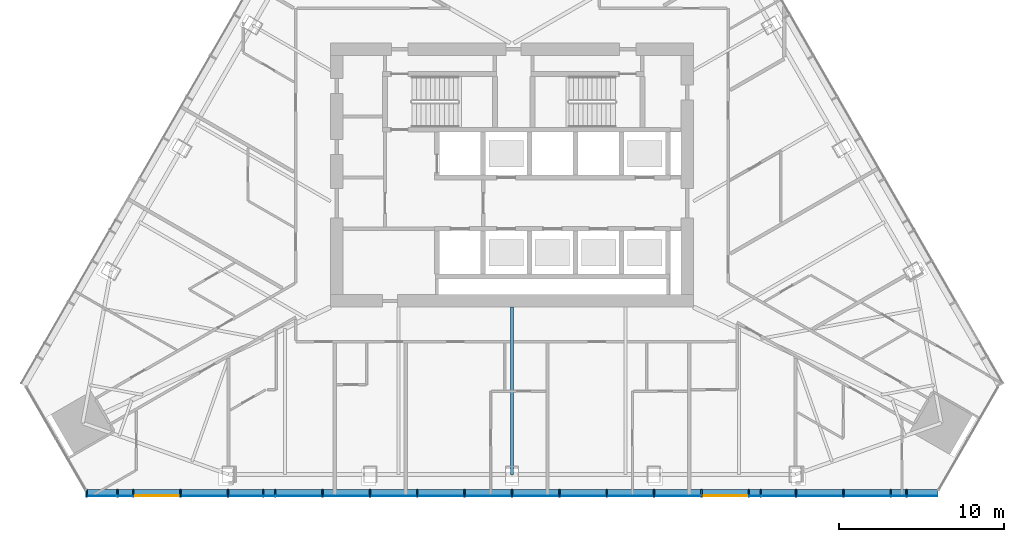
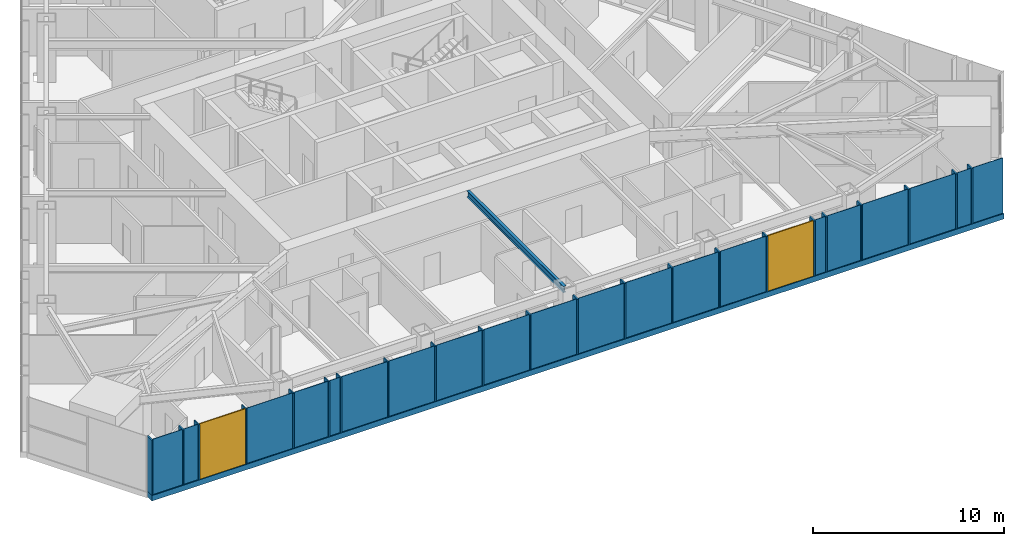
# One storey, part 3 of 16: 23 members, 20 plates, 2 windows, 1 beam, 2 openings, 1 element without a shape of its own.
"""IFC4 building model written with IfcOpenShell, lengths in metres."""

from ifc_helpers import new_model, si_unit, direction, frame, frame_2d, origin, origin_2d, place, context, subcontext, project, spatial, polyline, rectangle, i_section, outline, extrude, material, layer, layer_set, material_profile, profile_set, type_object, element, fill, aggregate, save


model = new_model("IFC4")

# Units and contexts
model_context = context("Model", 3, precision=1e-05, world=origin(), true_north=direction((0.0, 1.0)))
body_context = subcontext(model_context, "Body", "Model", "MODEL_VIEW")
ifc_project = project(units=[si_unit("LENGTHUNIT", "METRE"), si_unit("AREAUNIT", "SQUARE_METRE"), si_unit("VOLUMEUNIT", "CUBIC_METRE"), si_unit("PLANEANGLEUNIT", "RADIAN"), si_unit("MASSUNIT", "GRAM", prefix="KILO")], contexts=[model_context])

# Site, building, storey
site_placement = place(None, origin())
site = spatial("IfcSite", under=ifc_project, at=site_placement, CompositionType="ELEMENT")
building_placement = place(site_placement, origin())
building = spatial("IfcBuilding", under=site, at=building_placement, Name="Firuza Gate Tower and Library", CompositionType="ELEMENT")
storey_placement = place(building_placement, frame((0.0, 0.0, 198.699951171875)))
storey = spatial("IfcBuildingStorey", under=building, at=storey_placement, Name="L46", CompositionType="ELEMENT", Elevation=198.699951171875)

# Curtain wall, openings, members
ifc_material_1 = material(Name="Aluminium 6063-T6", Category="aluminium")
ifc_layer_1 = layer(ifc_material_1, 0.14990234375)
ifc_layer_set_1 = layer_set([ifc_layer_1], Name="Unitised curtain wall, hotel")
curtain_wall_type = type_object("IfcCurtainWallType", Name="Unitised curtain wall, hotel", PredefinedType="NOTDEFINED", material=ifc_layer_set_1)
curtain_wall_placement = place(storey_placement, origin())
curtain_wall = element("IfcCurtainWall", 1, at=curtain_wall_placement, inside=storey, type_object=curtain_wall_type, Name="CW2 L46 S face", PredefinedType="NOTDEFINED")
opening_1_placement = place(curtain_wall_placement, frame((52.0849609375, 55.55322265625, 0.150146484375), z_axis=(0.0, 0.0, 1.0), x_axis=(1.0, 0.0, 0.0)))
opening_1 = element("IfcOpeningElement", 2, at=opening_1_placement, cuts=curtain_wall, Name="Opening WD1-003", PredefinedType="OPENING", context=body_context, shape_type="SweptSolid", body=[
    extrude(rectangle(XDim=2.789306640625, YDim=3.550048828125, at=frame_2d((1.39453125, 1.77490234375))), frame((0.0, 0.0849609375, 0.0), z_axis=(0.0, -1.0, 0.0), x_axis=(1.0, 0.0, 0.0)), (0.0, 0.0, 1.0), 0.169921875),
])
opening_2_placement = place(curtain_wall_placement, frame((86.517578125, 55.55322265625, 0.150146484375), z_axis=(0.0, 0.0, 1.0), x_axis=(1.0, 0.0, 0.0)))
opening_2 = element("IfcOpeningElement", 3, at=opening_2_placement, cuts=curtain_wall, Name="Opening WD1-004", PredefinedType="OPENING", context=body_context, shape_type="SweptSolid", body=[
    extrude(rectangle(XDim=2.789306640625, YDim=3.550048828125, at=frame_2d((1.39453125, 1.77490234375))), frame((0.0, 0.0849609375, 0.0), z_axis=(0.0, -1.0, 0.0), x_axis=(1.0, 0.0, 0.0)), (0.0, 0.0, 1.0), 0.169921875),
])
ifc_material_2 = material(Name="Aluminium 6063-T6", Category="aluminium")
ifc_material_profile_1 = material_profile(ifc_material_2, rectangle(XDim=0.47998046875, YDim=0.080078125, at=origin_2d()))
ifc_profile_set_1 = profile_set([ifc_material_profile_1], Name="Aluminium 6063-T6")
member_type_1 = type_object("IfcMemberType", Name="Curtain wall mullion 80x480", PredefinedType="MULLION", material=ifc_profile_set_1)
member_1_placement = place(storey_placement, frame((49.215576171875, 55.71826171875, 0.150146484375), z_axis=(0.0, 0.0, 1.0), x_axis=(0.0, 1.0, 0.0)))
member_1 = element("IfcMember", 4, at=member_1_placement, type_object=member_type_1, Name="Mullion", PredefinedType="MULLION", context=body_context, shape_type="SweptSolid", body=[
    extrude(rectangle(XDim=0.47998046875, YDim=0.080078125, at=origin_2d()), origin(), (0.0, 0.0, 1.0), 3.5498046875),
])
member_2_placement = place(storey_placement, frame((52.044921875, 55.71826171875, 0.150146484375), z_axis=(0.0, 0.0, 1.0), x_axis=(0.0, 1.0, 0.0)))
member_2 = element("IfcMember", 5, at=member_2_placement, type_object=member_type_1, Name="Mullion", PredefinedType="MULLION", context=body_context, shape_type="SweptSolid", body=[
    extrude(rectangle(XDim=0.47998046875, YDim=0.080078125, at=origin_2d()), origin(), (0.0, 0.0, 1.0), 3.5498046875),
])
member_3_placement = place(storey_placement, frame((54.914306640625, 55.71826171875, 0.150146484375), z_axis=(0.0, 0.0, 1.0), x_axis=(0.0, 1.0, 0.0)))
member_3 = element("IfcMember", 6, at=member_3_placement, type_object=member_type_1, Name="Mullion", PredefinedType="MULLION", context=body_context, shape_type="SweptSolid", body=[
    extrude(rectangle(XDim=0.47998046875, YDim=0.080078125, at=origin_2d()), origin(), (0.0, 0.0, 1.0), 3.5498046875),
])
member_4_placement = place(storey_placement, frame((57.78369140625, 55.71826171875, 0.150146484375), z_axis=(0.0, 0.0, 1.0), x_axis=(0.0, 1.0, 0.0)))
member_4 = element("IfcMember", 7, at=member_4_placement, type_object=member_type_1, Name="Mullion", PredefinedType="MULLION", context=body_context, shape_type="SweptSolid", body=[
    extrude(rectangle(XDim=0.47998046875, YDim=0.080078125, at=origin_2d()), origin(), (0.0, 0.0, 1.0), 3.5498046875),
])
member_5_placement = place(storey_placement, frame((60.653076171875, 55.71826171875, 0.150146484375), z_axis=(0.0, 0.0, 1.0), x_axis=(0.0, 1.0, 0.0)))
member_5 = element("IfcMember", 8, at=member_5_placement, type_object=member_type_1, Name="Mullion", PredefinedType="MULLION", context=body_context, shape_type="SweptSolid", body=[
    extrude(rectangle(XDim=0.47998046875, YDim=0.080078125, at=origin_2d()), origin(), (0.0, 0.0, 1.0), 3.5498046875),
])
member_6_placement = place(storey_placement, frame((63.5224609375, 55.71826171875, 0.150146484375), z_axis=(0.0, 0.0, 1.0), x_axis=(0.0, 1.0, 0.0)))
member_6 = element("IfcMember", 9, at=member_6_placement, type_object=member_type_1, Name="Mullion", PredefinedType="MULLION", context=body_context, shape_type="SweptSolid", body=[
    extrude(rectangle(XDim=0.47998046875, YDim=0.080078125, at=origin_2d()), origin(), (0.0, 0.0, 1.0), 3.5498046875),
])
member_7_placement = place(storey_placement, frame((66.391845703125, 55.71826171875, 0.150146484375), z_axis=(0.0, 0.0, 1.0), x_axis=(0.0, 1.0, 0.0)))
member_7 = element("IfcMember", 10, at=member_7_placement, type_object=member_type_1, Name="Mullion", PredefinedType="MULLION", context=body_context, shape_type="SweptSolid", body=[
    extrude(rectangle(XDim=0.47998046875, YDim=0.080078125, at=origin_2d()), origin(), (0.0, 0.0, 1.0), 3.5498046875),
])
member_8_placement = place(storey_placement, frame((69.26123046875, 55.71826171875, 0.150146484375), z_axis=(0.0, 0.0, 1.0), x_axis=(0.0, 1.0, 0.0)))
member_8 = element("IfcMember", 11, at=member_8_placement, type_object=member_type_1, Name="Mullion", PredefinedType="MULLION", context=body_context, shape_type="SweptSolid", body=[
    extrude(rectangle(XDim=0.47998046875, YDim=0.080078125, at=origin_2d()), origin(), (0.0, 0.0, 1.0), 3.5498046875),
])
member_9_placement = place(storey_placement, frame((72.130615234375, 55.71826171875, 0.150146484375), z_axis=(0.0, 0.0, 1.0), x_axis=(0.0, 1.0, 0.0)))
member_9 = element("IfcMember", 12, at=member_9_placement, type_object=member_type_1, Name="Mullion", PredefinedType="MULLION", context=body_context, shape_type="SweptSolid", body=[
    extrude(rectangle(XDim=0.47998046875, YDim=0.080078125, at=origin_2d()), origin(), (0.0, 0.0, 1.0), 3.5498046875),
])
member_10_placement = place(storey_placement, frame((75.0, 55.71826171875, 0.150146484375), z_axis=(0.0, 0.0, 1.0), x_axis=(0.0, 1.0, 0.0)))
member_10 = element("IfcMember", 13, at=member_10_placement, type_object=member_type_1, Name="Mullion", PredefinedType="MULLION", context=body_context, shape_type="SweptSolid", body=[
    extrude(rectangle(XDim=0.47998046875, YDim=0.080078125, at=origin_2d()), origin(), (0.0, 0.0, 1.0), 3.5498046875),
])
member_11_placement = place(storey_placement, frame((77.869384765625, 55.71826171875, 0.150146484375), z_axis=(0.0, 0.0, 1.0), x_axis=(0.0, 1.0, 0.0)))
member_11 = element("IfcMember", 14, at=member_11_placement, type_object=member_type_1, Name="Mullion", PredefinedType="MULLION", context=body_context, shape_type="SweptSolid", body=[
    extrude(rectangle(XDim=0.47998046875, YDim=0.080078125, at=origin_2d()), origin(), (0.0, 0.0, 1.0), 3.5498046875),
])
member_12_placement = place(storey_placement, frame((80.73876953125, 55.71826171875, 0.150146484375), z_axis=(0.0, 0.0, 1.0), x_axis=(0.0, 1.0, 0.0)))
member_12 = element("IfcMember", 15, at=member_12_placement, type_object=member_type_1, Name="Mullion", PredefinedType="MULLION", context=body_context, shape_type="SweptSolid", body=[
    extrude(rectangle(XDim=0.47998046875, YDim=0.080078125, at=origin_2d()), origin(), (0.0, 0.0, 1.0), 3.5498046875),
])
member_13_placement = place(storey_placement, frame((83.608154296875, 55.71826171875, 0.150146484375), z_axis=(0.0, 0.0, 1.0), x_axis=(0.0, 1.0, 0.0)))
member_13 = element("IfcMember", 16, at=member_13_placement, type_object=member_type_1, Name="Mullion", PredefinedType="MULLION", context=body_context, shape_type="SweptSolid", body=[
    extrude(rectangle(XDim=0.47998046875, YDim=0.080078125, at=origin_2d()), origin(), (0.0, 0.0, 1.0), 3.5498046875),
])
member_14_placement = place(storey_placement, frame((86.4775390625, 55.71826171875, 0.150146484375), z_axis=(0.0, 0.0, 1.0), x_axis=(0.0, 1.0, 0.0)))
member_14 = element("IfcMember", 17, at=member_14_placement, type_object=member_type_1, Name="Mullion", PredefinedType="MULLION", context=body_context, shape_type="SweptSolid", body=[
    extrude(rectangle(XDim=0.47998046875, YDim=0.080078125, at=origin_2d()), origin(), (0.0, 0.0, 1.0), 3.5498046875),
])
member_15_placement = place(storey_placement, frame((89.346923828125, 55.71826171875, 0.150146484375), z_axis=(0.0, 0.0, 1.0), x_axis=(0.0, 1.0, 0.0)))
member_15 = element("IfcMember", 18, at=member_15_placement, type_object=member_type_1, Name="Mullion", PredefinedType="MULLION", context=body_context, shape_type="SweptSolid", body=[
    extrude(rectangle(XDim=0.47998046875, YDim=0.080078125, at=origin_2d()), origin(), (0.0, 0.0, 1.0), 3.5498046875),
])
member_16_placement = place(storey_placement, frame((92.21630859375, 55.71826171875, 0.150146484375), z_axis=(0.0, 0.0, 1.0), x_axis=(0.0, 1.0, 0.0)))
member_16 = element("IfcMember", 19, at=member_16_placement, type_object=member_type_1, Name="Mullion", PredefinedType="MULLION", context=body_context, shape_type="SweptSolid", body=[
    extrude(rectangle(XDim=0.47998046875, YDim=0.080078125, at=origin_2d()), origin(), (0.0, 0.0, 1.0), 3.5498046875),
])
member_17_placement = place(storey_placement, frame((95.085693359375, 55.71826171875, 0.150146484375), z_axis=(0.0, 0.0, 1.0), x_axis=(0.0, 1.0, 0.0)))
member_17 = element("IfcMember", 20, at=member_17_placement, type_object=member_type_1, Name="Mullion", PredefinedType="MULLION", context=body_context, shape_type="SweptSolid", body=[
    extrude(rectangle(XDim=0.47998046875, YDim=0.080078125, at=origin_2d()), origin(), (0.0, 0.0, 1.0), 3.5498046875),
])
member_18_placement = place(storey_placement, frame((97.955078125, 55.71826171875, 0.150146484375), z_axis=(0.0, 0.0, 1.0), x_axis=(0.0, 1.0, 0.0)))
member_18 = element("IfcMember", 21, at=member_18_placement, type_object=member_type_1, Name="Mullion", PredefinedType="MULLION", context=body_context, shape_type="SweptSolid", body=[
    extrude(rectangle(XDim=0.47998046875, YDim=0.080078125, at=origin_2d()), origin(), (0.0, 0.0, 1.0), 3.5498046875),
])
member_19_placement = place(storey_placement, frame((51.0966796875, 55.71826171875, 0.150146484375), z_axis=(0.0, 0.0, 1.0), x_axis=(0.0, 1.0, 0.0)))
member_19 = element("IfcMember", 22, at=member_19_placement, type_object=member_type_1, Name="Mullion", PredefinedType="MULLION", context=body_context, shape_type="SweptSolid", body=[
    extrude(rectangle(XDim=0.47998046875, YDim=0.080078125, at=origin_2d()), origin(), (0.0, 0.0, 1.0), 3.5498046875),
])
member_20_placement = place(storey_placement, frame((59.92041015625, 55.71826171875, 0.150146484375), z_axis=(0.0, 0.0, 1.0), x_axis=(0.0, 1.0, 0.0)))
member_20 = element("IfcMember", 23, at=member_20_placement, type_object=member_type_1, Name="Mullion", PredefinedType="MULLION", context=body_context, shape_type="SweptSolid", body=[
    extrude(rectangle(XDim=0.47998046875, YDim=0.080078125, at=origin_2d()), origin(), (0.0, 0.0, 1.0), 3.5498046875),
])
member_21_placement = place(storey_placement, frame((90.07958984375, 55.71826171875, 0.150146484375), z_axis=(0.0, 0.0, 1.0), x_axis=(0.0, 1.0, 0.0)))
member_21 = element("IfcMember", 24, at=member_21_placement, type_object=member_type_1, Name="Mullion", PredefinedType="MULLION", context=body_context, shape_type="SweptSolid", body=[
    extrude(rectangle(XDim=0.47998046875, YDim=0.080078125, at=origin_2d()), origin(), (0.0, 0.0, 1.0), 3.5498046875),
])
member_22_placement = place(storey_placement, frame((98.9033203125, 55.71826171875, 0.150146484375), z_axis=(0.0, 0.0, 1.0), x_axis=(0.0, 1.0, 0.0)))
member_22 = element("IfcMember", 25, at=member_22_placement, type_object=member_type_1, Name="Mullion", PredefinedType="MULLION", context=body_context, shape_type="SweptSolid", body=[
    extrude(rectangle(XDim=0.47998046875, YDim=0.080078125, at=origin_2d()), origin(), (0.0, 0.0, 1.0), 3.5498046875),
])
ifc_material_3 = material(Name="Aluminium 6063-T6", Category="aluminium")
ifc_material_profile_2 = material_profile(ifc_material_3, rectangle(XDim=0.47998046875, YDim=0.35009765625, at=origin_2d()))
ifc_profile_set_2 = profile_set([ifc_material_profile_2], Name="Aluminium 6063-T6")
member_type_2 = type_object("IfcMemberType", Name="Curtain wall transom 350x480", PredefinedType="USERDEFINED", material=ifc_profile_set_2)
member_23_placement = place(storey_placement, frame((49.175537109375, 55.71826171875, -0.02490234375), z_axis=(1.0, 0.0, 0.0), x_axis=(0.0, 1.0, 0.0)))
member_23 = element("IfcMember", 26, at=member_23_placement, type_object=member_type_2, Name="Transom", ObjectType="TRANSOM", PredefinedType="USERDEFINED", context=body_context, shape_type="SweptSolid", body=[
    extrude(rectangle(XDim=0.47998046875, YDim=0.35009765625, at=origin_2d()), origin(), (0.0, 0.0, 1.0), 51.64892578125),
])

# Beam
ifc_material_4 = material(Name="Steel S355", Category="steel")
ifc_material_profile_3 = material_profile(ifc_material_4, i_section(OverallWidth=0.177978515625, OverallDepth=0.406982421875, WebThickness=0.0078125, FlangeThickness=0.0126953125, at=origin_2d()))
ifc_profile_set_3 = profile_set([ifc_material_profile_3], Name="Steel S355")
beam_type = type_object("IfcBeamType", Name="W410x60 Floor beam", PredefinedType="JOIST", material=ifc_profile_set_3)
beam_placement = place(storey_placement, frame((75.0, 56.8583984375, 3.49658203125), z_axis=(0.0, 1.0, 0.0), x_axis=(-1.0, 0.0, 0.0)))
element("IfcBeam", 27, at=beam_placement, inside=storey, type_object=beam_type, Name="Floor beam L46 s22", PredefinedType="JOIST", context=body_context, shape_type="SweptSolid", body=[
    extrude(i_section(OverallWidth=0.177978515625, OverallDepth=0.406982421875, WebThickness=0.0078125, FlangeThickness=0.0126953125, at=origin_2d()), origin(), (0.0, 0.0, 1.0), 10.1416015625),
])

# Plate
ifc_material_5 = material(Name="Fritted glass", Category="glass")
ifc_layer_2 = layer(ifc_material_5, 0.030029296875)
ifc_layer_set_2 = layer_set([ifc_layer_2], Name="Fritted glass unit, hotel")
plate_type_1 = type_object("IfcPlateType", Name="Fritted glass unit, hotel", PredefinedType="CURTAIN_PANEL", material=ifc_layer_set_2)
plate_1_placement = place(storey_placement, frame((51.13671875, 55.538330078125, 0.150146484375), z_axis=(0.0, -1.0, 0.0), x_axis=(1.0, 0.0, 0.0)))
plate_1 = element("IfcPlate", 28, at=plate_1_placement, type_object=plate_type_1, Name="Glass unit", PredefinedType="CURTAIN_PANEL", context=body_context, shape_type="SweptSolid", body=[
    extrude(outline(polyline([(0.0, 0.0), (0.8681640625, 0.0), (0.8681640625, 3.5498046875), (0.0, 3.5498046875), (0.0, 0.0)])), origin(), (0.0, 0.0, -1.0), 0.030029296875),
])

plate_2_placement = place(storey_placement, frame((59.96044921875, 55.538330078125, 0.150146484375), z_axis=(0.0, -1.0, 0.0), x_axis=(1.0, 0.0, 0.0)))
plate_2 = element("IfcPlate", 29, at=plate_2_placement, type_object=plate_type_1, Name="Glass unit", PredefinedType="CURTAIN_PANEL", context=body_context, shape_type="SweptSolid", body=[
    extrude(outline(polyline([(0.0, 0.0), (0.652587890625, 0.0), (0.652587890625, 3.5498046875), (0.0, 3.5498046875), (0.0, 0.0)])), origin(), (0.0, 0.0, -1.0), 0.030029296875),
])

plate_3_placement = place(storey_placement, frame((60.693115234375, 55.538330078125, 0.150146484375), z_axis=(0.0, -1.0, 0.0), x_axis=(1.0, 0.0, 0.0)))
plate_3 = element("IfcPlate", 30, at=plate_3_placement, type_object=plate_type_1, Name="Glass unit", PredefinedType="CURTAIN_PANEL", context=body_context, shape_type="SweptSolid", body=[
    extrude(outline(polyline([(0.0, 0.0), (2.789306640625, 0.0), (2.789306640625, 3.5498046875), (0.0, 3.5498046875), (0.0, 0.0)])), origin(), (0.0, 0.0, -1.0), 0.030029296875),
])

plate_4_placement = place(storey_placement, frame((69.30126953125, 55.538330078125, 0.150146484375), z_axis=(0.0, -1.0, 0.0), x_axis=(1.0, 0.0, 0.0)))
plate_4 = element("IfcPlate", 31, at=plate_4_placement, type_object=plate_type_1, Name="Glass unit", PredefinedType="CURTAIN_PANEL", context=body_context, shape_type="SweptSolid", body=[
    extrude(outline(polyline([(0.0, 0.0), (2.789306640625, 0.0), (2.789306640625, 3.5498046875), (0.0, 3.5498046875), (0.0, 0.0)])), origin(), (0.0, 0.0, -1.0), 0.030029296875),
])

plate_5_placement = place(storey_placement, frame((77.909423828125, 55.538330078125, 0.150146484375), z_axis=(0.0, -1.0, 0.0), x_axis=(1.0, 0.0, 0.0)))
plate_5 = element("IfcPlate", 32, at=plate_5_placement, type_object=plate_type_1, Name="Glass unit", PredefinedType="CURTAIN_PANEL", context=body_context, shape_type="SweptSolid", body=[
    extrude(outline(polyline([(0.0, 0.0), (2.789306640625, 0.0), (2.789306640625, 3.5498046875), (0.0, 3.5498046875), (0.0, 0.0)])), origin(), (0.0, 0.0, -1.0), 0.030029296875),
])

plate_6_placement = place(storey_placement, frame((89.386962890625, 55.538330078125, 0.150146484375), z_axis=(0.0, -1.0, 0.0), x_axis=(1.0, 0.0, 0.0)))
plate_6 = element("IfcPlate", 33, at=plate_6_placement, type_object=plate_type_1, Name="Glass unit", PredefinedType="CURTAIN_PANEL", context=body_context, shape_type="SweptSolid", body=[
    extrude(outline(polyline([(0.0, 0.0), (0.652587890625, 0.0), (0.652587890625, 3.5498046875), (0.0, 3.5498046875), (0.0, 0.0)])), origin(), (0.0, 0.0, -1.0), 0.030029296875),
])

plate_7_placement = place(storey_placement, frame((95.125732421875, 55.538330078125, 0.150146484375), z_axis=(0.0, -1.0, 0.0), x_axis=(1.0, 0.0, 0.0)))
plate_7 = element("IfcPlate", 34, at=plate_7_placement, type_object=plate_type_1, Name="Glass unit", PredefinedType="CURTAIN_PANEL", context=body_context, shape_type="SweptSolid", body=[
    extrude(outline(polyline([(0.0, 0.0), (2.789306640625, 0.0), (2.789306640625, 3.5498046875), (0.0, 3.5498046875), (0.0, 0.0)])), origin(), (0.0, 0.0, -1.0), 0.030029296875),
])

plate_8_placement = place(storey_placement, frame((97.9951171875, 55.538330078125, 0.150146484375), z_axis=(0.0, -1.0, 0.0), x_axis=(1.0, 0.0, 0.0)))
plate_8 = element("IfcPlate", 35, at=plate_8_placement, type_object=plate_type_1, Name="Glass unit", PredefinedType="CURTAIN_PANEL", context=body_context, shape_type="SweptSolid", body=[
    extrude(outline(polyline([(0.0, 0.0), (0.8681640625, 0.0), (0.8681640625, 3.5498046875), (0.0, 3.5498046875), (0.0, 0.0)])), origin(), (0.0, 0.0, -1.0), 0.030029296875),
])

ifc_material_6 = material(Name="Glazed ceramic tile")
ifc_layer_3 = layer(ifc_material_6, 0.030029296875)
ifc_layer_set_3 = layer_set([ifc_layer_3], Name="Opaque ceramic panel, hotel")
plate_type_2 = type_object("IfcPlateType", Name="Opaque ceramic panel, hotel", PredefinedType="CURTAIN_PANEL", material=ifc_layer_set_3)
plate_9_placement = place(storey_placement, frame((49.215576171875, 55.538330078125, 0.150146484375), z_axis=(0.0, -1.0, 0.0), x_axis=(1.0, 0.0, 0.0)))
plate_9 = element("IfcPlate", 36, at=plate_9_placement, type_object=plate_type_2, Name="Opaque ceramic panel", PredefinedType="CURTAIN_PANEL", context=body_context, shape_type="SweptSolid", body=[
    extrude(outline(polyline([(0.0, 0.0), (1.841064453125, 0.0), (1.841064453125, 3.5498046875), (0.0, 3.5498046875), (0.0, 0.0)])), origin(), (0.0, 0.0, -1.0), 0.030029296875),
])

plate_10_placement = place(storey_placement, frame((54.954345703125, 55.538330078125, 0.150146484375), z_axis=(0.0, -1.0, 0.0), x_axis=(1.0, 0.0, 0.0)))
plate_10 = element("IfcPlate", 37, at=plate_10_placement, type_object=plate_type_2, Name="Opaque ceramic panel", PredefinedType="CURTAIN_PANEL", context=body_context, shape_type="SweptSolid", body=[
    extrude(outline(polyline([(0.0, 0.0), (2.789306640625, 0.0), (2.789306640625, 3.5498046875), (0.0, 3.5498046875), (0.0, 0.0)])), origin(), (0.0, 0.0, -1.0), 0.030029296875),
])

plate_11_placement = place(storey_placement, frame((57.82373046875, 55.538330078125, 0.150146484375), z_axis=(0.0, -1.0, 0.0), x_axis=(1.0, 0.0, 0.0)))
plate_11 = element("IfcPlate", 38, at=plate_11_placement, type_object=plate_type_2, Name="Opaque ceramic panel", PredefinedType="CURTAIN_PANEL", context=body_context, shape_type="SweptSolid", body=[
    extrude(outline(polyline([(0.0, 0.0), (2.056884765625, 0.0), (2.056884765625, 3.5498046875), (0.0, 3.5498046875), (0.0, 0.0)])), origin(), (0.0, 0.0, -1.0), 0.030029296875),
])

plate_12_placement = place(storey_placement, frame((63.5625, 55.538330078125, 0.150146484375), z_axis=(0.0, -1.0, 0.0), x_axis=(1.0, 0.0, 0.0)))
plate_12 = element("IfcPlate", 39, at=plate_12_placement, type_object=plate_type_2, Name="Opaque ceramic panel", PredefinedType="CURTAIN_PANEL", context=body_context, shape_type="SweptSolid", body=[
    extrude(outline(polyline([(0.0, 0.0), (2.789306640625, 0.0), (2.789306640625, 3.5498046875), (0.0, 3.5498046875), (0.0, 0.0)])), origin(), (0.0, 0.0, -1.0), 0.030029296875),
])

plate_13_placement = place(storey_placement, frame((66.431884765625, 55.538330078125, 0.150146484375), z_axis=(0.0, -1.0, 0.0), x_axis=(1.0, 0.0, 0.0)))
plate_13 = element("IfcPlate", 40, at=plate_13_placement, type_object=plate_type_2, Name="Opaque ceramic panel", PredefinedType="CURTAIN_PANEL", context=body_context, shape_type="SweptSolid", body=[
    extrude(outline(polyline([(0.0, 0.0), (2.789306640625, 0.0), (2.789306640625, 3.5498046875), (0.0, 3.5498046875), (0.0, 0.0)])), origin(), (0.0, 0.0, -1.0), 0.030029296875),
])

plate_14_placement = place(storey_placement, frame((72.170654296875, 55.538330078125, 0.150146484375), z_axis=(0.0, -1.0, 0.0), x_axis=(1.0, 0.0, 0.0)))
plate_14 = element("IfcPlate", 41, at=plate_14_placement, type_object=plate_type_2, Name="Opaque ceramic panel", PredefinedType="CURTAIN_PANEL", context=body_context, shape_type="SweptSolid", body=[
    extrude(outline(polyline([(0.0, 0.0), (2.789306640625, 0.0), (2.789306640625, 3.5498046875), (0.0, 3.5498046875), (0.0, 0.0)])), origin(), (0.0, 0.0, -1.0), 0.030029296875),
])

plate_15_placement = place(storey_placement, frame((75.0400390625, 55.538330078125, 0.150146484375), z_axis=(0.0, -1.0, 0.0), x_axis=(1.0, 0.0, 0.0)))
plate_15 = element("IfcPlate", 42, at=plate_15_placement, type_object=plate_type_2, Name="Opaque ceramic panel", PredefinedType="CURTAIN_PANEL", context=body_context, shape_type="SweptSolid", body=[
    extrude(outline(polyline([(0.0, 0.0), (2.789306640625, 0.0), (2.789306640625, 3.5498046875), (0.0, 3.5498046875), (0.0, 0.0)])), origin(), (0.0, 0.0, -1.0), 0.030029296875),
])

plate_16_placement = place(storey_placement, frame((80.77880859375, 55.538330078125, 0.150146484375), z_axis=(0.0, -1.0, 0.0), x_axis=(1.0, 0.0, 0.0)))
plate_16 = element("IfcPlate", 43, at=plate_16_placement, type_object=plate_type_2, Name="Opaque ceramic panel", PredefinedType="CURTAIN_PANEL", context=body_context, shape_type="SweptSolid", body=[
    extrude(outline(polyline([(0.0, 0.0), (2.789306640625, 0.0), (2.789306640625, 3.5498046875), (0.0, 3.5498046875), (0.0, 0.0)])), origin(), (0.0, 0.0, -1.0), 0.030029296875),
])

plate_17_placement = place(storey_placement, frame((83.648193359375, 55.538330078125, 0.150146484375), z_axis=(0.0, -1.0, 0.0), x_axis=(1.0, 0.0, 0.0)))
plate_17 = element("IfcPlate", 44, at=plate_17_placement, type_object=plate_type_2, Name="Opaque ceramic panel", PredefinedType="CURTAIN_PANEL", context=body_context, shape_type="SweptSolid", body=[
    extrude(outline(polyline([(0.0, 0.0), (2.789306640625, 0.0), (2.789306640625, 3.5498046875), (0.0, 3.5498046875), (0.0, 0.0)])), origin(), (0.0, 0.0, -1.0), 0.030029296875),
])

plate_18_placement = place(storey_placement, frame((90.119384765625, 55.538330078125, 0.150146484375), z_axis=(0.0, -1.0, 0.0), x_axis=(1.0, 0.0, 0.0)))
plate_18 = element("IfcPlate", 45, at=plate_18_placement, type_object=plate_type_2, Name="Opaque ceramic panel", PredefinedType="CURTAIN_PANEL", context=body_context, shape_type="SweptSolid", body=[
    extrude(outline(polyline([(0.0, 0.0), (2.056884765625, 0.0), (2.056884765625, 3.5498046875), (0.0, 3.5498046875), (0.0, 0.0)])), origin(), (0.0, 0.0, -1.0), 0.030029296875),
])

plate_19_placement = place(storey_placement, frame((92.25634765625, 55.538330078125, 0.150146484375), z_axis=(0.0, -1.0, 0.0), x_axis=(1.0, 0.0, 0.0)))
plate_19 = element("IfcPlate", 46, at=plate_19_placement, type_object=plate_type_2, Name="Opaque ceramic panel", PredefinedType="CURTAIN_PANEL", context=body_context, shape_type="SweptSolid", body=[
    extrude(outline(polyline([(0.0, 0.0), (2.789306640625, 0.0), (2.789306640625, 3.5498046875), (0.0, 3.5498046875), (0.0, 0.0)])), origin(), (0.0, 0.0, -1.0), 0.030029296875),
])

plate_20_placement = place(storey_placement, frame((98.943359375, 55.538330078125, 0.150146484375), z_axis=(0.0, -1.0, 0.0), x_axis=(1.0, 0.0, 0.0)))
plate_20 = element("IfcPlate", 47, at=plate_20_placement, type_object=plate_type_2, Name="Opaque ceramic panel", PredefinedType="CURTAIN_PANEL", context=body_context, shape_type="SweptSolid", body=[
    extrude(outline(polyline([(0.0, 0.0), (1.841064453125, 0.0), (1.841064453125, 3.5498046875), (0.0, 3.5498046875), (0.0, 0.0)])), origin(), (0.0, 0.0, -1.0), 0.030029296875),
])

aggregate(curtain_wall, [member_1, member_2, member_3, member_4, member_5, member_6, member_7, member_8, member_9, member_10, member_11, member_12, member_13, member_14, member_15, member_16, member_17, member_18, member_23, plate_9, plate_1, member_19, plate_10, plate_11, plate_2, member_20, plate_3, plate_12, plate_13, plate_4, plate_14, plate_15, plate_5, plate_16, plate_17, plate_6, plate_18, member_21, plate_19, plate_7, plate_8, plate_20, member_22])

# Window
ifc_material_7 = material(Name="Aluminium 6063-T6 and glass", Category="aluminium")
ifc_layer_4 = layer(ifc_material_7, 0.030029296875)
ifc_layer_set_4 = layer_set([ifc_layer_4], Name="Operable glazed unit")
window_type = type_object("IfcWindowType", Name="Operable glazed unit", PartitioningType="SINGLE_PANEL", PredefinedType="WINDOW", material=ifc_layer_set_4)
window_1_placement = place(opening_1_placement, origin())
window_1 = element("IfcWindow", 48, at=window_1_placement, inside=storey, type_object=window_type, Name="Operable glazed unit", OverallHeight=3.550048828125, OverallWidth=2.789306640625, PartitioningType="SINGLE_PANEL", PredefinedType="WINDOW", context=body_context, shape_type="SweptSolid", body=[
    extrude(rectangle(XDim=2.789306640625, YDim=3.550048828125, at=frame_2d((1.39453125, 1.77490234375))), frame((0.0, 0.030029296875, 0.0), z_axis=(0.0, -1.0, 0.0), x_axis=(1.0, 0.0, 0.0)), (0.0, 0.0, 1.0), 0.06005859375),
])

fill(opening_1, window_1)

window_2_placement = place(opening_2_placement, origin())
window_2 = element("IfcWindow", 49, at=window_2_placement, inside=storey, type_object=window_type, Name="Operable glazed unit", OverallHeight=3.550048828125, OverallWidth=2.789306640625, PartitioningType="SINGLE_PANEL", PredefinedType="WINDOW", context=body_context, shape_type="SweptSolid", body=[
    extrude(rectangle(XDim=2.789306640625, YDim=3.550048828125, at=frame_2d((1.39453125, 1.77490234375))), frame((0.0, 0.030029296875, 0.0), z_axis=(0.0, -1.0, 0.0), x_axis=(1.0, 0.0, 0.0)), (0.0, 0.0, 1.0), 0.06005859375),
])

fill(opening_2, window_2)

save(model, "model.ifc")
